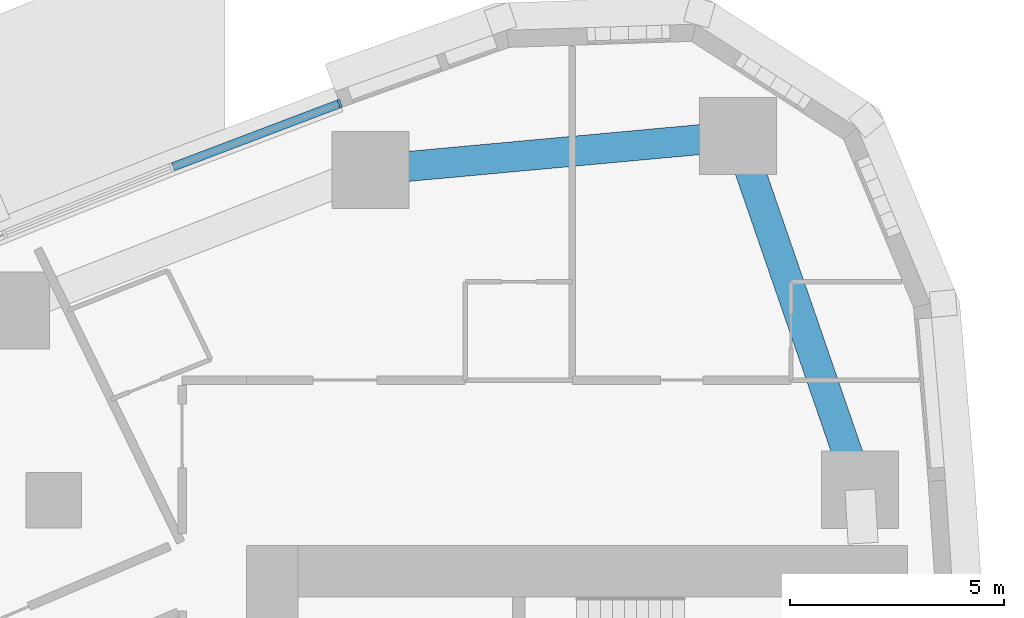
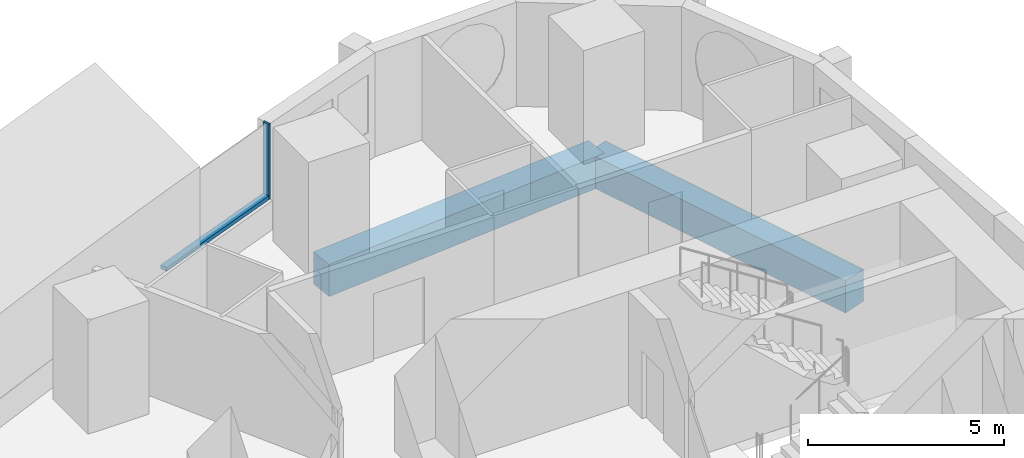
# One storey, part 7 of 19: 2 beams, 2 members, 1 element without a shape of its own.
"""IFC4 building model written with IfcOpenShell, lengths in metres."""

from ifc_helpers import new_model, si_unit, direction, frame, origin, origin_2d, place, context, subcontext, project, spatial, rectangle, extrude, material, layer, layer_set, material_profile, profile_set, type_object, element, aggregate, save


model = new_model("IFC4")

# Units and contexts
model_context = context("Model", 3, precision=1e-05, world=origin(), true_north=direction((0.0, 1.0)))
body_context = subcontext(model_context, "Body", "Model", "MODEL_VIEW")
ifc_project = project(units=[si_unit("LENGTHUNIT", "METRE"), si_unit("AREAUNIT", "SQUARE_METRE"), si_unit("VOLUMEUNIT", "CUBIC_METRE"), si_unit("PLANEANGLEUNIT", "RADIAN"), si_unit("MASSUNIT", "GRAM", prefix="KILO")], contexts=[model_context])

# Site, building, storey
site_placement = place(None, origin())
site = spatial("IfcSite", under=ifc_project, at=site_placement, CompositionType="ELEMENT")
building_placement = place(site_placement, origin())
building = spatial("IfcBuilding", under=site, at=building_placement, Name="Ostrand Prow Hotel Tower", CompositionType="ELEMENT")
storey_placement = place(building_placement, frame((0.0, 0.0, 50.25)))
storey = spatial("IfcBuildingStorey", under=building, at=storey_placement, Name="L10", CompositionType="ELEMENT", Elevation=50.25)

# Beams
ifc_material_1 = material(Name="Concrete C80/95", Category="concrete")
ifc_material_profile_1 = material_profile(ifc_material_1, rectangle(XDim=0.699951171875, YDim=1.0, at=origin_2d()), Name="RC 700x1000")
ifc_profile_set_1 = profile_set([ifc_material_profile_1], Name="Concrete C80/95")
beam_type = type_object("IfcBeamType", Name="Edge beam 700x1000 C80/95", PredefinedType="SPANDREL", material=ifc_profile_set_1)
beam_1_placement = place(storey_placement, frame((63.8134765625, 18.248779296875, -0.800048828125), z_axis=(-0.326263961413, 0.945278703602, 0.0), x_axis=(-0.945278703602, -0.326263961413, 0.0)))
element("IfcBeam", 1, at=beam_1_placement, inside=storey, type_object=beam_type, Name="Edge beam B5-NE", PredefinedType="SPANDREL", context=body_context, shape_type="SweptSolid", body=[
    extrude(rectangle(XDim=0.699951171875, YDim=1.0, at=origin_2d()), origin(), (0.0, 0.0, 1.0), 8.727294921875),
])
beam_2_placement = place(storey_placement, frame((60.966064453125, 26.49853515625, -0.800048828125), z_axis=(-0.995800189514, -0.091553167961, 0.0), x_axis=(0.091553167961, -0.995800189514, 0.0)))
element("IfcBeam", 2, at=beam_2_placement, inside=storey, type_object=beam_type, Name="Edge beam NE-N1", PredefinedType="SPANDREL", context=body_context, shape_type="SweptSolid", body=[
    extrude(rectangle(XDim=0.699951171875, YDim=1.0, at=origin_2d()), origin(), (0.0, 0.0, 1.0), 8.610595703125),
])

# Curtain wall, members
ifc_material_2 = material(Name="Insulated glass in bronze anodised frame", Category="glass")
ifc_layer = layer(ifc_material_2, 0.199951171875)
ifc_layer_set = layer_set([ifc_layer], Name="Insulated glass in bronze anodised frame")
curtain_wall_type = type_object("IfcCurtainWallType", Name="Strip curtain wall, fritted glass over bronze spandrel", PredefinedType="NOTDEFINED", material=ifc_layer_set)
curtain_wall_placement = place(storey_placement, origin())
curtain_wall = element("IfcCurtainWall", 3, at=curtain_wall_placement, inside=storey, type_object=curtain_wall_type, Name="CW1 run CWN1", PredefinedType="NOTDEFINED")
ifc_material_3 = material(Name="Bronze anodised aluminium", Category="aluminium")
ifc_material_profile_2 = material_profile(ifc_material_3, rectangle(XDim=0.199951171875, YDim=0.06005859375, at=origin_2d()), Name="Mullion 60x200 bronze anodised aluminium")
ifc_profile_set_2 = profile_set([ifc_material_profile_2], Name="Bronze anodised aluminium")
member_type_1 = type_object("IfcMemberType", Name="Mullion 60x200 bronze anodised aluminium", PredefinedType="MULLION", material=ifc_profile_set_2)
member_1_placement = place(storey_placement, frame((51.674560546875, 27.2578125, 0.89990234375), z_axis=(0.0, 0.0, 1.0), x_axis=(0.354728407072, -0.934969388384, 0.0)))
member_1 = element("IfcMember", 4, at=member_1_placement, type_object=member_type_1, Name="CW1 mullion 1", PredefinedType="MULLION", context=body_context, shape_type="SweptSolid", body=[
    extrude(rectangle(XDim=0.199951171875, YDim=0.06005859375, at=origin_2d()), origin(), (0.0, 0.0, 1.0), 2.35009765625),
])
ifc_material_4 = material(Name="Bronze anodised aluminium", Category="aluminium")
ifc_material_profile_3 = material_profile(ifc_material_4, rectangle(XDim=0.199951171875, YDim=0.1201171875, at=origin_2d()), Name="Transom 120x200 bronze anodised aluminium")
ifc_profile_set_3 = profile_set([ifc_material_profile_3], Name="Bronze anodised aluminium")
member_type_2 = type_object("IfcMemberType", Name="Transom 120x200 bronze anodised aluminium", PredefinedType="USERDEFINED", material=ifc_profile_set_3)
member_2_placement = place(storey_placement, frame((51.646484375, 27.2470703125, 0.9599609375), z_axis=(-0.93497051437, -0.354725439261, 0.0), x_axis=(0.354725439261, -0.93497051437, 0.0)))
member_2 = element("IfcMember", 5, at=member_2_placement, type_object=member_type_2, Name="CW1 transom 1.1", ObjectType="TRANSOM", PredefinedType="USERDEFINED", context=body_context, shape_type="SweptSolid", body=[
    extrude(rectangle(XDim=0.199951171875, YDim=0.1201171875, at=origin_2d()), origin(), (0.0, 0.0, 1.0), 4.13427734375),
])
aggregate(curtain_wall, [member_1, member_2])

save(model, "model.ifc")
